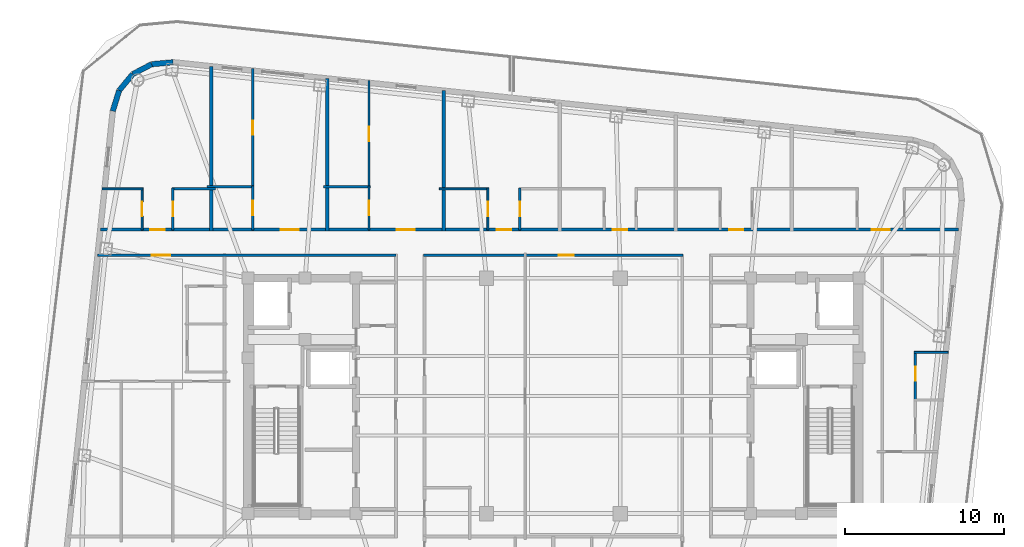
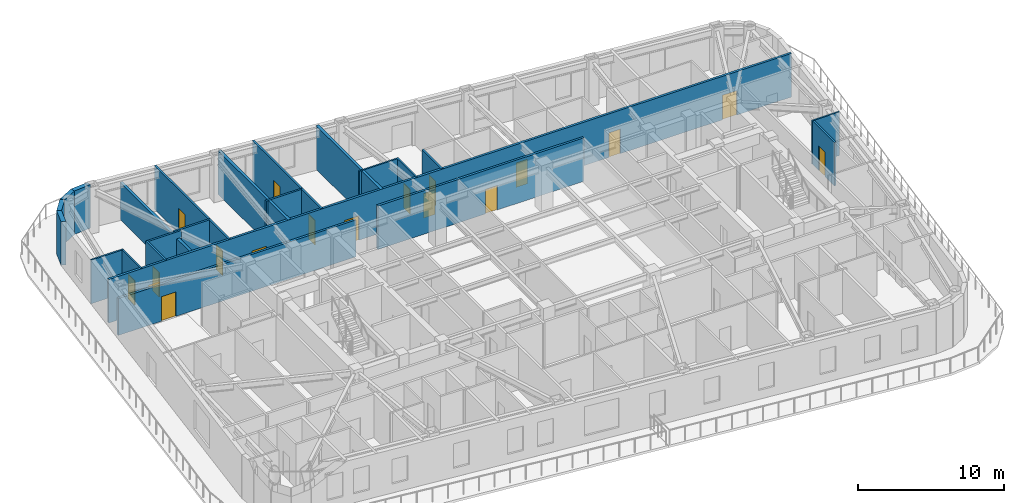
# One storey, part 7 of 14: 25 walls, 18 doors, 18 openings.
"""IFC4 building model written with IfcOpenShell, lengths in metres."""

from ifc_helpers import new_model, si_unit, direction, frame, frame_2d, origin, place, context, subcontext, project, spatial, rectangle, extrude, material, layer, layer_set, type_object, element, fill, save


model = new_model("IFC4")

# Units and contexts
model_context = context("Model", 3, precision=1e-05, world=origin(), true_north=direction((0.0, 1.0)))
body_context = subcontext(model_context, "Body", "Model", "MODEL_VIEW")
ifc_project = project(units=[si_unit("LENGTHUNIT", "METRE"), si_unit("AREAUNIT", "SQUARE_METRE"), si_unit("VOLUMEUNIT", "CUBIC_METRE"), si_unit("PLANEANGLEUNIT", "RADIAN"), si_unit("MASSUNIT", "GRAM", prefix="KILO")], contexts=[model_context])

# Site, building, storey
site_placement = place(None, origin())
site = spatial("IfcSite", under=ifc_project, at=site_placement, CompositionType="ELEMENT")
building_placement = place(site_placement, origin())
building = spatial("IfcBuilding", under=site, at=building_placement, Name="Voryun Gate Residences", CompositionType="ELEMENT")
storey_placement = place(building_placement, frame((0.0, 0.0, 291.199951171875)))
storey = spatial("IfcBuildingStorey", under=building, at=storey_placement, Name="L72", CompositionType="ELEMENT", Elevation=291.199951171875)

# Wall, opening, door
ifc_material_1 = material(Name="Gypsum acoustic fireboard")
ifc_layer_1 = layer(ifc_material_1, 0.179931640625, Name="W_CORR_RATED_180")
ifc_layer_set_1 = layer_set([ifc_layer_1], Name="Gypsum acoustic fireboard")
wall_type_1 = type_object("IfcWallType", Name="W_CORR_RATED_180", PredefinedType="PARTITIONING", material=ifc_layer_set_1)
wall_1_placement = place(storey_placement, frame((-28.648681640625, 8.840087890625, 0.0), z_axis=(0.0, 0.0, 1.0), x_axis=(1.0, 0.0, 0.0)))
wall_1 = element("IfcWall", 1, at=wall_1_placement, inside=storey, type_object=wall_type_1, Name="Partition wall WP-L72-CWING-WN", PredefinedType="PARTITIONING", context=body_context, shape_type="SweptSolid", body=[
    extrude(rectangle(XDim=18.768798828125, YDim=0.179931640625, at=frame_2d((9.38427734375, 0.0))), origin(), (0.0, 0.0, 1.0), 3.074951171875),
])
opening_1_placement = place(wall_1_placement, frame((3.40966796875, 0.0, 0.0)))
opening_1 = element("IfcOpeningElement", 2, at=opening_1_placement, cuts=wall_1, Name="Opening D-UNIT-1", PredefinedType="OPENING", context=body_context, shape_type="SweptSolid", body=[
    extrude(rectangle(XDim=1.14990234375, YDim=2.050048828125, at=frame_2d((0.574951171875, 1.02490234375))), frame((0.0, 0.099853515625, 0.0), z_axis=(0.0, -1.0, 0.0), x_axis=(1.0, 0.0, 0.0)), (0.0, 0.0, 1.0), 0.199951171875),
])
ifc_material_2 = material(Name="Armoured timber-clad fire door", Category="wood")
door_type_1 = type_object("IfcDoorType", Name="DR_UNIT_ENTRY_1150", OperationType="NOTDEFINED", PredefinedType="DOOR", material=ifc_material_2)
door_1_placement = place(opening_1_placement, origin())
door_1 = element("IfcDoor", 3, at=door_1_placement, inside=storey, type_object=door_type_1, Name="Door DR-L72-WE1N", OperationType="SINGLE_SWING_LEFT", OverallHeight=2.050048828125, OverallWidth=1.14990234375, PredefinedType="DOOR", context=body_context, shape_type="SweptSolid", body=[
    extrude(rectangle(XDim=1.14990234375, YDim=2.050048828125, at=frame_2d((0.574951171875, 1.02490234375))), frame((0.0, 0.02490234375, 0.0), z_axis=(0.0, -1.0, 0.0), x_axis=(1.0, 0.0, 0.0)), (0.0, 0.0, 1.0), 0.050048828125),
])
fill(opening_1, door_1)

wall_2_placement = place(storey_placement, frame((-8.14990234375, 8.840087890625, 0.0), z_axis=(0.0, 0.0, 1.0), x_axis=(1.0, 0.0, 0.0)))
wall_2 = element("IfcWall", 4, at=wall_2_placement, inside=storey, type_object=wall_type_1, Name="Partition wall WP-L72-Z3N", PredefinedType="PARTITIONING", context=body_context, shape_type="SweptSolid", body=[
    extrude(rectangle(XDim=16.2998046875, YDim=0.179931640625, at=frame_2d((8.14990234375, 0.0))), origin(), (0.0, 0.0, 1.0), 3.635009765625),
])
opening_2_placement = place(wall_2_placement, frame((8.489990234375, 0.0, 0.0)))
opening_2 = element("IfcOpeningElement", 5, at=opening_2_placement, cuts=wall_2, Name="Opening D-INT-1", PredefinedType="OPENING", context=body_context, shape_type="SweptSolid", body=[
    extrude(rectangle(XDim=0.949951171875, YDim=2.050048828125, at=frame_2d((0.47509765625, 1.02490234375))), frame((0.0, 0.099853515625, 0.0), z_axis=(0.0, -1.0, 0.0), x_axis=(1.0, 0.0, 0.0)), (0.0, 0.0, 1.0), 0.199951171875),
])
ifc_material_3 = material(Name="Architectural oak veneer")
door_type_2 = type_object("IfcDoorType", Name="DR_INT_ROOM_950", OperationType="NOTDEFINED", PredefinedType="DOOR", material=ifc_material_3)
door_2_placement = place(opening_2_placement, origin())
door_2 = element("IfcDoor", 6, at=door_2_placement, inside=storey, type_object=door_type_2, Name="Door DR-L72-CMIDZ3N", OperationType="SINGLE_SWING_LEFT", OverallHeight=2.050048828125, OverallWidth=0.949951171875, PredefinedType="DOOR", context=body_context, shape_type="SweptSolid", body=[
    extrude(rectangle(XDim=0.949951171875, YDim=2.050048828125, at=frame_2d((0.47509765625, 1.02490234375))), frame((0.0, 0.02490234375, 0.0), z_axis=(0.0, -1.0, 0.0), x_axis=(1.0, 0.0, 0.0)), (0.0, 0.0, 1.0), 0.050048828125),
])
fill(opening_2, door_2)

# Wall, openings, doors
wall_3_placement = place(storey_placement, frame((-28.4794921875, 10.449951171875, 0.0), z_axis=(0.0, 0.0, 1.0), x_axis=(1.0, 0.0, 0.0)))
wall_3 = element("IfcWall", 7, at=wall_3_placement, inside=storey, type_object=wall_type_1, Name="Partition wall WP-L72-NCORR", PredefinedType="PARTITIONING", context=body_context, shape_type="SweptSolid", body=[
    extrude(rectangle(XDim=53.95556640625, YDim=0.179931640625, at=frame_2d((26.977783203125, 0.0))), origin(), (0.0, 0.0, 1.0), 3.635009765625),
])
opening_3_placement = place(wall_3_placement, frame((3.143310546875, 0.0, 0.0)))
opening_3 = element("IfcOpeningElement", 8, at=opening_3_placement, cuts=wall_3, Name="Opening D-INT-2", PredefinedType="OPENING", context=body_context, shape_type="SweptSolid", body=[
    extrude(rectangle(XDim=0.89990234375, YDim=2.050048828125, at=frame_2d((0.449951171875, 1.02490234375))), frame((0.0, 0.099853515625, 0.0), z_axis=(0.0, -1.0, 0.0), x_axis=(1.0, 0.0, 0.0)), (0.0, 0.0, 1.0), 0.199951171875),
])
opening_4_placement = place(wall_3_placement, frame((11.32763671875, 0.0, 0.0)))
opening_4 = element("IfcOpeningElement", 9, at=opening_4_placement, cuts=wall_3, Name="Opening D-UNIT-1", PredefinedType="OPENING", context=body_context, shape_type="SweptSolid", body=[
    extrude(rectangle(XDim=1.14990234375, YDim=2.050048828125, at=frame_2d((0.574951171875, 1.02490234375))), frame((0.0, 0.099853515625, 0.0), z_axis=(0.0, -1.0, 0.0), x_axis=(1.0, 0.0, 0.0)), (0.0, 0.0, 1.0), 0.199951171875),
])
opening_5_placement = place(wall_3_placement, frame((18.627685546875, 0.0, 0.0)))
opening_5 = element("IfcOpeningElement", 10, at=opening_5_placement, cuts=wall_3, Name="Opening D-UNIT-1", PredefinedType="OPENING", context=body_context, shape_type="SweptSolid", body=[
    extrude(rectangle(XDim=1.14990234375, YDim=2.050048828125, at=frame_2d((0.574951171875, 1.02490234375))), frame((0.0, 0.099853515625, 0.0), z_axis=(0.0, -1.0, 0.0), x_axis=(1.0, 0.0, 0.0)), (0.0, 0.0, 1.0), 0.199951171875),
])
opening_6_placement = place(wall_3_placement, frame((24.92529296875, 0.0, 0.0)))
opening_6 = element("IfcOpeningElement", 11, at=opening_6_placement, cuts=wall_3, Name="Opening D-INT-2", PredefinedType="OPENING", context=body_context, shape_type="SweptSolid", body=[
    extrude(rectangle(XDim=0.89990234375, YDim=2.050048828125, at=frame_2d((0.449951171875, 1.02490234375))), frame((0.0, 0.099853515625, 0.0), z_axis=(0.0, -1.0, 0.0), x_axis=(1.0, 0.0, 0.0)), (0.0, 0.0, 1.0), 0.199951171875),
])
opening_7_placement = place(wall_3_placement, frame((32.2255859375, 0.0, 0.0)))
opening_7 = element("IfcOpeningElement", 12, at=opening_7_placement, cuts=wall_3, Name="Opening D-INT-2", PredefinedType="OPENING", context=body_context, shape_type="SweptSolid", body=[
    extrude(rectangle(XDim=0.89990234375, YDim=2.050048828125, at=frame_2d((0.449951171875, 1.02490234375))), frame((0.0, 0.099853515625, 0.0), z_axis=(0.0, -1.0, 0.0), x_axis=(1.0, 0.0, 0.0)), (0.0, 0.0, 1.0), 0.199951171875),
])
opening_8_placement = place(wall_3_placement, frame((39.520263671875, 0.0, 0.0)))
opening_8 = element("IfcOpeningElement", 13, at=opening_8_placement, cuts=wall_3, Name="Opening D-INT-2", PredefinedType="OPENING", context=body_context, shape_type="SweptSolid", body=[
    extrude(rectangle(XDim=0.89990234375, YDim=2.050048828125, at=frame_2d((0.449951171875, 1.02490234375))), frame((0.0, 0.099853515625, 0.0), z_axis=(0.0, -1.0, 0.0), x_axis=(1.0, 0.0, 0.0)), (0.0, 0.0, 1.0), 0.199951171875),
])
opening_9_placement = place(wall_3_placement, frame((48.48681640625, 0.0, 0.0)))
opening_9 = element("IfcOpeningElement", 14, at=opening_9_placement, cuts=wall_3, Name="Opening D-UNIT-1", PredefinedType="OPENING", context=body_context, shape_type="SweptSolid", body=[
    extrude(rectangle(XDim=1.14990234375, YDim=2.050048828125, at=frame_2d((0.574951171875, 1.02490234375))), frame((0.0, 0.099853515625, 0.0), z_axis=(0.0, -1.0, 0.0), x_axis=(1.0, 0.0, 0.0)), (0.0, 0.0, 1.0), 0.199951171875),
])
ifc_material_4 = material(Name="Architectural oak veneer")
door_type_3 = type_object("IfcDoorType", Name="DR_INT_BATH_900", OperationType="NOTDEFINED", PredefinedType="DOOR", material=ifc_material_4)
door_3_placement = place(opening_3_placement, origin())
door_3 = element("IfcDoor", 15, at=door_3_placement, inside=storey, type_object=door_type_3, Name="Door DR-L72-NENT-1", OperationType="SINGLE_SWING_LEFT", OverallHeight=2.050048828125, OverallWidth=0.89990234375, PredefinedType="DOOR", context=body_context, shape_type="SweptSolid", body=[
    extrude(rectangle(XDim=0.89990234375, YDim=2.050048828125, at=frame_2d((0.449951171875, 1.02490234375))), frame((0.0, 0.02490234375, 0.0), z_axis=(0.0, -1.0, 0.0), x_axis=(1.0, 0.0, 0.0)), (0.0, 0.0, 1.0), 0.050048828125),
])
fill(opening_3, door_3)
door_4_placement = place(opening_6_placement, origin())
door_4 = element("IfcDoor", 16, at=door_4_placement, inside=storey, type_object=door_type_3, Name="Door DR-L72-NENT-4", OperationType="SINGLE_SWING_RIGHT", OverallHeight=2.050048828125, OverallWidth=0.89990234375, PredefinedType="DOOR", context=body_context, shape_type="SweptSolid", body=[
    extrude(rectangle(XDim=0.89990234375, YDim=2.050048828125, at=frame_2d((0.449951171875, 1.02490234375))), frame((0.0, 0.02490234375, 0.0), z_axis=(0.0, -1.0, 0.0), x_axis=(1.0, 0.0, 0.0)), (0.0, 0.0, 1.0), 0.050048828125),
])
fill(opening_6, door_4)
door_5_placement = place(opening_7_placement, origin())
door_5 = element("IfcDoor", 17, at=door_5_placement, inside=storey, type_object=door_type_3, Name="Door DR-L72-NENT-5", OperationType="SINGLE_SWING_LEFT", OverallHeight=2.050048828125, OverallWidth=0.89990234375, PredefinedType="DOOR", context=body_context, shape_type="SweptSolid", body=[
    extrude(rectangle(XDim=0.89990234375, YDim=2.050048828125, at=frame_2d((0.449951171875, 1.02490234375))), frame((0.0, 0.02490234375, 0.0), z_axis=(0.0, -1.0, 0.0), x_axis=(1.0, 0.0, 0.0)), (0.0, 0.0, 1.0), 0.050048828125),
])
fill(opening_7, door_5)
door_6_placement = place(opening_8_placement, origin())
door_6 = element("IfcDoor", 18, at=door_6_placement, inside=storey, type_object=door_type_3, Name="Door DR-L72-NENT-6", OperationType="SINGLE_SWING_RIGHT", OverallHeight=2.050048828125, OverallWidth=0.89990234375, PredefinedType="DOOR", context=body_context, shape_type="SweptSolid", body=[
    extrude(rectangle(XDim=0.89990234375, YDim=2.050048828125, at=frame_2d((0.449951171875, 1.02490234375))), frame((0.0, 0.02490234375, 0.0), z_axis=(0.0, -1.0, 0.0), x_axis=(1.0, 0.0, 0.0)), (0.0, 0.0, 1.0), 0.050048828125),
])
fill(opening_8, door_6)
door_7_placement = place(opening_4_placement, origin())
door_7 = element("IfcDoor", 19, at=door_7_placement, inside=storey, type_object=door_type_1, Name="Door DR-L72-NENT-2", OperationType="SINGLE_SWING_RIGHT", OverallHeight=2.050048828125, OverallWidth=1.14990234375, PredefinedType="DOOR", context=body_context, shape_type="SweptSolid", body=[
    extrude(rectangle(XDim=1.14990234375, YDim=2.050048828125, at=frame_2d((0.574951171875, 1.02490234375))), frame((0.0, 0.02490234375, 0.0), z_axis=(0.0, -1.0, 0.0), x_axis=(1.0, 0.0, 0.0)), (0.0, 0.0, 1.0), 0.050048828125),
])
fill(opening_4, door_7)
door_8_placement = place(opening_5_placement, origin())
door_8 = element("IfcDoor", 20, at=door_8_placement, inside=storey, type_object=door_type_1, Name="Door DR-L72-NENT-3", OperationType="SINGLE_SWING_LEFT", OverallHeight=2.050048828125, OverallWidth=1.14990234375, PredefinedType="DOOR", context=body_context, shape_type="SweptSolid", body=[
    extrude(rectangle(XDim=1.14990234375, YDim=2.050048828125, at=frame_2d((0.574951171875, 1.02490234375))), frame((0.0, 0.02490234375, 0.0), z_axis=(0.0, -1.0, 0.0), x_axis=(1.0, 0.0, 0.0)), (0.0, 0.0, 1.0), 0.050048828125),
])
fill(opening_5, door_8)
door_9_placement = place(opening_9_placement, origin())
door_9 = element("IfcDoor", 21, at=door_9_placement, inside=storey, type_object=door_type_1, Name="Door DR-L72-NENT-7", OperationType="SINGLE_SWING_LEFT", OverallHeight=2.050048828125, OverallWidth=1.14990234375, PredefinedType="DOOR", context=body_context, shape_type="SweptSolid", body=[
    extrude(rectangle(XDim=1.14990234375, YDim=2.050048828125, at=frame_2d((0.574951171875, 1.02490234375))), frame((0.0, 0.02490234375, 0.0), z_axis=(0.0, -1.0, 0.0), x_axis=(1.0, 0.0, 0.0)), (0.0, 0.0, 1.0), 0.050048828125),
])
fill(opening_9, door_9)

# Walls
ifc_material_5 = material(Name="Charcoal terracotta masonry", Category="masonry")
ifc_layer_2 = layer(ifc_material_5, 0.340087890625, Name="W_EXT_TERRACOTTA_340")
ifc_layer_set_2 = layer_set([ifc_layer_2], Name="Charcoal terracotta masonry")
wall_type_2 = type_object("IfcWallType", Name="W_EXT_TERRACOTTA_340", PredefinedType="ELEMENTEDWALL", material=ifc_layer_set_2)
wall_4_placement = place(storey_placement, frame((-27.69580078125, 17.904541015625, 0.0), z_axis=(0.0, 0.0, 1.0), x_axis=(0.296416228123, 0.955058856671, 0.0)))
element("IfcWall", 22, at=wall_4_placement, inside=storey, type_object=wall_type_2, Name="Exterior wall WEXT-L72-07", PredefinedType="ELEMENTEDWALL", context=body_context, shape_type="SweptSolid", body=[
    extrude(rectangle(XDim=1.35400390625, YDim=0.340087890625, at=frame_2d((0.677001953125, 0.0))), origin(), (0.0, 0.0, 1.0), 3.635009765625),
])
wall_5_placement = place(storey_placement, frame((-27.29443359375, 19.19775390625, 0.0), z_axis=(0.0, 0.0, 1.0), x_axis=(0.639501603217, 0.768789762863, 0.0)))
element("IfcWall", 23, at=wall_5_placement, inside=storey, type_object=wall_type_2, Name="Exterior wall WEXT-L72-08", PredefinedType="ELEMENTEDWALL", context=body_context, shape_type="SweptSolid", body=[
    extrude(rectangle(XDim=1.3369140625, YDim=0.340087890625, at=frame_2d((0.66845703125, 0.0))), origin(), (0.0, 0.0, 1.0), 3.635009765625),
])
wall_6_placement = place(storey_placement, frame((-26.439453125, 20.2255859375, 0.0), z_axis=(0.0, 0.0, 1.0), x_axis=(0.884922182678, 0.465738908193, 0.0)))
element("IfcWall", 24, at=wall_6_placement, inside=storey, type_object=wall_type_2, Name="Exterior wall WEXT-L72-09", PredefinedType="ELEMENTEDWALL", context=body_context, shape_type="SweptSolid", body=[
    extrude(rectangle(XDim=1.337158203125, YDim=0.340087890625, at=frame_2d((0.66845703125, 0.0))), origin(), (0.0, 0.0, 1.0), 3.635009765625),
])
wall_7_placement = place(storey_placement, frame((-25.256103515625, 20.848388671875, 0.0), z_axis=(0.0, 0.0, 1.0), x_axis=(0.995813013343, 0.091413579172, 0.0)))
element("IfcWall", 25, at=wall_7_placement, inside=storey, type_object=wall_type_2, Name="Exterior wall WEXT-L72-10", PredefinedType="ELEMENTEDWALL", context=body_context, shape_type="SweptSolid", body=[
    extrude(rectangle(XDim=1.35400390625, YDim=0.340087890625, at=frame_2d((0.677001953125, 0.0))), origin(), (0.0, 0.0, 1.0), 3.635009765625),
])
ifc_material_6 = material(Name="Concrete C40/50", Category="concrete")
ifc_layer_3 = layer(ifc_material_6, 0.219970703125, Name="W_PARTY_ACOUSTIC_220")
ifc_layer_set_3 = layer_set([ifc_layer_3], Name="Concrete C40/50")
wall_type_3 = type_object("IfcWallType", Name="W_PARTY_ACOUSTIC_220", PredefinedType="PARTITIONING", material=ifc_layer_set_3)
wall_8_placement = place(storey_placement, frame((-21.5, 10.3701171875, 0.0), z_axis=(0.0, 0.0, 1.0), x_axis=(0.0, 1.0, 0.0)))
element("IfcWall", 26, at=wall_8_placement, inside=storey, type_object=wall_type_3, Name="Partition wall WP-L72-NPTY-1", PredefinedType="PARTITIONING", context=body_context, shape_type="SweptSolid", body=[
    extrude(rectangle(XDim=10.348876953125, YDim=0.219970703125, at=frame_2d((5.17431640625, 0.0))), origin(), (0.0, 0.0, 1.0), 3.074951171875),
])
wall_9_placement = place(storey_placement, frame((-14.199951171875, 10.3701171875, 0.0), z_axis=(0.0, 0.0, 1.0), x_axis=(0.0, 1.0, 0.0)))
element("IfcWall", 27, at=wall_9_placement, inside=storey, type_object=wall_type_3, Name="Partition wall WP-L72-NPTY-2", PredefinedType="PARTITIONING", context=body_context, shape_type="SweptSolid", body=[
    extrude(rectangle(XDim=9.581787109375, YDim=0.219970703125, at=frame_2d((4.791015625, 0.0))), origin(), (0.0, 0.0, 1.0), 3.635009765625),
])
wall_10_placement = place(storey_placement, frame((-6.89990234375, 10.3701171875, 0.0), z_axis=(0.0, 0.0, 1.0), x_axis=(0.0, 1.0, 0.0)))
element("IfcWall", 28, at=wall_10_placement, inside=storey, type_object=wall_type_3, Name="Partition wall WP-L72-NPTY-3", PredefinedType="PARTITIONING", context=body_context, shape_type="SweptSolid", body=[
    extrude(rectangle(XDim=8.814453125, YDim=0.219970703125, at=frame_2d((4.4072265625, 0.0))), origin(), (0.0, 0.0, 1.0), 3.635009765625),
])

# Wall, opening, door
ifc_material_7 = material(Name="Gypsum acoustic partition")
ifc_layer_4 = layer(ifc_material_7, 0.125, Name="W_UNIT_PART_125")
ifc_layer_set_4 = layer_set([ifc_layer_4], Name="Gypsum acoustic partition")
wall_type_4 = type_object("IfcWallType", Name="W_UNIT_PART_125", PredefinedType="PARTITIONING", material=ifc_layer_set_4)
wall_11_placement = place(storey_placement, frame((-25.85302734375, 10.429931640625, 0.0), z_axis=(0.0, 0.0, 1.0), x_axis=(0.0, 1.0, 0.0)))
wall_11 = element("IfcWall", 29, at=wall_11_placement, inside=storey, type_object=wall_type_4, Name="Partition wall WP-L72-N1-CVK", PredefinedType="PARTITIONING", context=body_context, shape_type="SweptSolid", body=[
    extrude(rectangle(XDim=2.650146484375, YDim=0.125, at=frame_2d((1.3251953125, 0.0))), origin(), (0.0, 0.0, 1.0), 3.635009765625),
])
opening_10_placement = place(wall_11_placement, frame((0.875, 0.0, 0.0)))
opening_10 = element("IfcOpeningElement", 30, at=opening_10_placement, cuts=wall_11, Name="Opening D-INT-2", PredefinedType="OPENING", context=body_context, shape_type="SweptSolid", body=[
    extrude(rectangle(XDim=0.89990234375, YDim=2.050048828125, at=frame_2d((0.449951171875, 1.02490234375))), frame((0.0, 0.072509765625, 0.0), z_axis=(0.0, -1.0, 0.0), x_axis=(1.0, 0.0, 0.0)), (0.0, 0.0, 1.0), 0.14501953125),
])
door_10_placement = place(opening_10_placement, origin())
door_10 = element("IfcDoor", 31, at=door_10_placement, inside=storey, type_object=door_type_3, Name="Door DR-L72-N1-DK", OperationType="SINGLE_SWING_LEFT", OverallHeight=2.050048828125, OverallWidth=0.89990234375, PredefinedType="DOOR", context=body_context, shape_type="SweptSolid", body=[
    extrude(rectangle(XDim=0.89990234375, YDim=2.050048828125, at=frame_2d((0.449951171875, 1.02490234375))), frame((0.0, 0.02490234375, 0.0), z_axis=(0.0, -1.0, 0.0), x_axis=(1.0, 0.0, 0.0)), (0.0, 0.0, 1.0), 0.050048828125),
])
fill(opening_10, door_10)

# Wall
wall_12_placement = place(storey_placement, frame((-28.360107421875, 13.02001953125, 0.0), z_axis=(0.0, 0.0, 1.0), x_axis=(1.0, 0.0, 0.0)))
element("IfcWall", 32, at=wall_12_placement, inside=storey, type_object=wall_type_4, Name="Partition wall WP-L72-N1-CHK", PredefinedType="PARTITIONING", context=body_context, shape_type="SweptSolid", body=[
    extrude(rectangle(XDim=2.567138671875, YDim=0.125, at=frame_2d((1.28369140625, 0.0))), origin(), (0.0, 0.0, 1.0), 3.635009765625),
])

# Wall, opening, door
wall_13_placement = place(storey_placement, frame((-4.112060546875, 10.429931640625, 0.0), z_axis=(0.0, 0.0, 1.0), x_axis=(0.0, 1.0, 0.0)))
wall_13 = element("IfcWall", 33, at=wall_13_placement, inside=storey, type_object=wall_type_4, Name="Partition wall WP-L72-N4-CVK", PredefinedType="PARTITIONING", context=body_context, shape_type="SweptSolid", body=[
    extrude(rectangle(XDim=2.650146484375, YDim=0.125, at=frame_2d((1.3251953125, 0.0))), origin(), (0.0, 0.0, 1.0), 3.635009765625),
])
opening_11_placement = place(wall_13_placement, frame((0.875, 0.0, 0.0)))
opening_11 = element("IfcOpeningElement", 34, at=opening_11_placement, cuts=wall_13, Name="Opening D-INT-2", PredefinedType="OPENING", context=body_context, shape_type="SweptSolid", body=[
    extrude(rectangle(XDim=0.89990234375, YDim=2.050048828125, at=frame_2d((0.449951171875, 1.02490234375))), frame((0.0, 0.072509765625, 0.0), z_axis=(0.0, -1.0, 0.0), x_axis=(1.0, 0.0, 0.0)), (0.0, 0.0, 1.0), 0.14501953125),
])
door_11_placement = place(opening_11_placement, origin())
door_11 = element("IfcDoor", 35, at=door_11_placement, inside=storey, type_object=door_type_3, Name="Door DR-L72-N4-DK", OperationType="SINGLE_SWING_LEFT", OverallHeight=2.050048828125, OverallWidth=0.89990234375, PredefinedType="DOOR", context=body_context, shape_type="SweptSolid", body=[
    extrude(rectangle(XDim=0.89990234375, YDim=2.050048828125, at=frame_2d((0.449951171875, 1.02490234375))), frame((0.0, 0.02490234375, 0.0), z_axis=(0.0, -1.0, 0.0), x_axis=(1.0, 0.0, 0.0)), (0.0, 0.0, 1.0), 0.050048828125),
])
fill(opening_11, door_11)

# Walls
wall_14_placement = place(storey_placement, frame((-7.159912109375, 13.02001953125, 0.0), z_axis=(0.0, 0.0, 1.0), x_axis=(1.0, 0.0, 0.0)))
element("IfcWall", 36, at=wall_14_placement, inside=storey, type_object=wall_type_4, Name="Partition wall WP-L72-N4-CHK", PredefinedType="PARTITIONING", context=body_context, shape_type="SweptSolid", body=[
    extrude(rectangle(XDim=3.10791015625, YDim=0.125, at=frame_2d((1.553955078125, 0.0))), origin(), (0.0, 0.0, 1.0), 3.635009765625),
])
wall_15_placement = place(storey_placement, frame((22.679931640625, 2.739990234375, 0.0), z_axis=(0.0, 0.0, 1.0), x_axis=(1.0, 0.0, 0.0)))
element("IfcWall", 37, at=wall_15_placement, inside=storey, type_object=wall_type_4, Name="Partition wall WP-L72-E1-HZ1", PredefinedType="PARTITIONING", context=body_context, shape_type="SweptSolid", body=[
    extrude(rectangle(XDim=2.13671875, YDim=0.125, at=frame_2d((1.068359375, 0.0))), origin(), (0.0, 0.0, 1.0), 3.635009765625),
])

# Wall, opening, door
ifc_material_8 = material(Name="Gypsum moisture-resistant partition")
ifc_layer_5 = layer(ifc_material_8, 0.14990234375, Name="W_WET_PLUMB_150")
ifc_layer_set_5 = layer_set([ifc_layer_5], Name="Gypsum moisture-resistant partition")
wall_type_5 = type_object("IfcWallType", Name="W_WET_PLUMB_150", PredefinedType="PLUMBINGWALL", material=ifc_layer_set_5)
wall_16_placement = place(storey_placement, frame((-23.9140625, 10.429931640625, 0.0), z_axis=(0.0, 0.0, 1.0), x_axis=(0.0, 1.0, 0.0)))
wall_16 = element("IfcWall", 38, at=wall_16_placement, inside=storey, type_object=wall_type_5, Name="Partition wall WP-L72-N1-CVB", PredefinedType="PLUMBINGWALL", context=body_context, shape_type="SweptSolid", body=[
    extrude(rectangle(XDim=2.650146484375, YDim=0.14990234375, at=frame_2d((1.3251953125, 0.0))), origin(), (0.0, 0.0, 1.0), 3.635009765625),
])
opening_12_placement = place(wall_16_placement, frame((0.875, 0.0, 0.0)))
opening_12 = element("IfcOpeningElement", 39, at=opening_12_placement, cuts=wall_16, Name="Opening D-INT-2", PredefinedType="OPENING", context=body_context, shape_type="SweptSolid", body=[
    extrude(rectangle(XDim=0.89990234375, YDim=2.050048828125, at=frame_2d((0.449951171875, 1.02490234375))), frame((0.0, 0.0849609375, 0.0), z_axis=(0.0, -1.0, 0.0), x_axis=(1.0, 0.0, 0.0)), (0.0, 0.0, 1.0), 0.169921875),
])
door_12_placement = place(opening_12_placement, origin())
door_12 = element("IfcDoor", 40, at=door_12_placement, inside=storey, type_object=door_type_3, Name="Door DR-L72-N1-DB", OperationType="SINGLE_SWING_RIGHT", OverallHeight=2.050048828125, OverallWidth=0.89990234375, PredefinedType="DOOR", context=body_context, shape_type="SweptSolid", body=[
    extrude(rectangle(XDim=0.89990234375, YDim=2.050048828125, at=frame_2d((0.449951171875, 1.02490234375))), frame((0.0, 0.02490234375, 0.0), z_axis=(0.0, -1.0, 0.0), x_axis=(1.0, 0.0, 0.0)), (0.0, 0.0, 1.0), 0.050048828125),
])
fill(opening_12, door_12)

# Walls
wall_17_placement = place(storey_placement, frame((-23.97412109375, 13.02001953125, 0.0), z_axis=(0.0, 0.0, 1.0), x_axis=(1.0, 0.0, 0.0)))
element("IfcWall", 41, at=wall_17_placement, inside=storey, type_object=wall_type_5, Name="Partition wall WP-L72-N1-CHB", PredefinedType="PLUMBINGWALL", context=body_context, shape_type="SweptSolid", body=[
    extrude(rectangle(XDim=2.734130859375, YDim=0.14990234375, at=frame_2d((1.3671875, 0.0))), origin(), (0.0, 0.0, 1.0), 3.635009765625),
])
wall_18_placement = place(storey_placement, frame((-21.760009765625, 13.14990234375, 0.0), z_axis=(0.0, 0.0, 1.0), x_axis=(1.0, 0.0, 0.0)))
element("IfcWall", 42, at=wall_18_placement, inside=storey, type_object=wall_type_5, Name="Partition wall WP-L72-N2-SKB", PredefinedType="PLUMBINGWALL", context=body_context, shape_type="SweptSolid", body=[
    extrude(rectangle(XDim=2.949951171875, YDim=0.14990234375, at=frame_2d((1.47509765625, 0.0))), origin(), (0.0, 0.0, 1.0), 3.635009765625),
])

# Wall, opening, door
wall_19_placement = place(storey_placement, frame((-18.889892578125, 10.429931640625, 0.0), z_axis=(0.0, 0.0, 1.0), x_axis=(0.0, 1.0, 0.0)))
wall_19 = element("IfcWall", 43, at=wall_19_placement, inside=storey, type_object=wall_type_5, Name="Partition wall WP-L72-N2-SVT1", PredefinedType="PLUMBINGWALL", context=body_context, shape_type="SweptSolid", body=[
    extrude(rectangle(XDim=2.760009765625, YDim=0.14990234375, at=frame_2d((1.3798828125, 0.0))), origin(), (0.0, 0.0, 1.0), 3.635009765625),
])
opening_13_placement = place(wall_19_placement, frame((0.929931640625, 0.0, 0.0)))
opening_13 = element("IfcOpeningElement", 44, at=opening_13_placement, cuts=wall_19, Name="Opening D-INT-2", PredefinedType="OPENING", context=body_context, shape_type="SweptSolid", body=[
    extrude(rectangle(XDim=0.89990234375, YDim=2.050048828125, at=frame_2d((0.449951171875, 1.02490234375))), frame((0.0, 0.0849609375, 0.0), z_axis=(0.0, -1.0, 0.0), x_axis=(1.0, 0.0, 0.0)), (0.0, 0.0, 1.0), 0.169921875),
])
door_13_placement = place(opening_13_placement, origin())
door_13 = element("IfcDoor", 45, at=door_13_placement, inside=storey, type_object=door_type_3, Name="Door DR-L72-N2-DB", OperationType="SINGLE_SWING_LEFT", OverallHeight=2.050048828125, OverallWidth=0.89990234375, PredefinedType="DOOR", context=body_context, shape_type="SweptSolid", body=[
    extrude(rectangle(XDim=0.89990234375, YDim=2.050048828125, at=frame_2d((0.449951171875, 1.02490234375))), frame((0.0, 0.02490234375, 0.0), z_axis=(0.0, -1.0, 0.0), x_axis=(1.0, 0.0, 0.0)), (0.0, 0.0, 1.0), 0.050048828125),
])
fill(opening_13, door_13)

wall_20_placement = place(storey_placement, frame((-18.889892578125, 13.110107421875, 0.0), z_axis=(0.0, 0.0, 1.0), x_axis=(0.0, 1.0, 0.0)))
wall_20 = element("IfcWall", 46, at=wall_20_placement, inside=storey, type_object=wall_type_5, Name="Partition wall WP-L72-N2-SVT2", PredefinedType="PLUMBINGWALL", context=body_context, shape_type="SweptSolid", body=[
    extrude(rectangle(XDim=7.485595703125, YDim=0.14990234375, at=frame_2d((3.74267578125, 0.0))), origin(), (0.0, 0.0, 1.0), 3.635009765625),
])
opening_14_placement = place(wall_20_placement, frame((3.292724609375, 0.0, 0.0)))
opening_14 = element("IfcOpeningElement", 47, at=opening_14_placement, cuts=wall_20, Name="Opening D-INT-2", PredefinedType="OPENING", context=body_context, shape_type="SweptSolid", body=[
    extrude(rectangle(XDim=0.89990234375, YDim=2.050048828125, at=frame_2d((0.449951171875, 1.02490234375))), frame((0.0, 0.0849609375, 0.0), z_axis=(0.0, -1.0, 0.0), x_axis=(1.0, 0.0, 0.0)), (0.0, 0.0, 1.0), 0.169921875),
])
door_14_placement = place(opening_14_placement, origin())
door_14 = element("IfcDoor", 48, at=door_14_placement, inside=storey, type_object=door_type_3, Name="Door DR-L72-N2-DK", OperationType="SINGLE_SWING_RIGHT", OverallHeight=2.050048828125, OverallWidth=0.89990234375, PredefinedType="DOOR", context=body_context, shape_type="SweptSolid", body=[
    extrude(rectangle(XDim=0.89990234375, YDim=2.050048828125, at=frame_2d((0.449951171875, 1.02490234375))), frame((0.0, 0.02490234375, 0.0), z_axis=(0.0, -1.0, 0.0), x_axis=(1.0, 0.0, 0.0)), (0.0, 0.0, 1.0), 0.050048828125),
])
fill(opening_14, door_14)

# Wall
wall_21_placement = place(storey_placement, frame((-14.4599609375, 13.14990234375, 0.0), z_axis=(0.0, 0.0, 1.0), x_axis=(1.0, 0.0, 0.0)))
element("IfcWall", 49, at=wall_21_placement, inside=storey, type_object=wall_type_5, Name="Partition wall WP-L72-N3-SKB", PredefinedType="PLUMBINGWALL", context=body_context, shape_type="SweptSolid", body=[
    extrude(rectangle(XDim=2.949951171875, YDim=0.14990234375, at=frame_2d((1.47509765625, 0.0))), origin(), (0.0, 0.0, 1.0), 3.635009765625),
])

# Wall, opening, door
wall_22_placement = place(storey_placement, frame((-11.590087890625, 10.429931640625, 0.0), z_axis=(0.0, 0.0, 1.0), x_axis=(0.0, 1.0, 0.0)))
wall_22 = element("IfcWall", 50, at=wall_22_placement, inside=storey, type_object=wall_type_5, Name="Partition wall WP-L72-N3-SVT1", PredefinedType="PLUMBINGWALL", context=body_context, shape_type="SweptSolid", body=[
    extrude(rectangle(XDim=2.760009765625, YDim=0.14990234375, at=frame_2d((1.3798828125, 0.0))), origin(), (0.0, 0.0, 1.0), 3.635009765625),
])
opening_15_placement = place(wall_22_placement, frame((0.929931640625, 0.0, 0.0)))
opening_15 = element("IfcOpeningElement", 51, at=opening_15_placement, cuts=wall_22, Name="Opening D-INT-2", PredefinedType="OPENING", context=body_context, shape_type="SweptSolid", body=[
    extrude(rectangle(XDim=0.89990234375, YDim=2.050048828125, at=frame_2d((0.449951171875, 1.02490234375))), frame((0.0, 0.0849609375, 0.0), z_axis=(0.0, -1.0, 0.0), x_axis=(1.0, 0.0, 0.0)), (0.0, 0.0, 1.0), 0.169921875),
])
door_15_placement = place(opening_15_placement, origin())
door_15 = element("IfcDoor", 52, at=door_15_placement, inside=storey, type_object=door_type_3, Name="Door DR-L72-N3-DB", OperationType="SINGLE_SWING_LEFT", OverallHeight=2.050048828125, OverallWidth=0.89990234375, PredefinedType="DOOR", context=body_context, shape_type="SweptSolid", body=[
    extrude(rectangle(XDim=0.89990234375, YDim=2.050048828125, at=frame_2d((0.449951171875, 1.02490234375))), frame((0.0, 0.02490234375, 0.0), z_axis=(0.0, -1.0, 0.0), x_axis=(1.0, 0.0, 0.0)), (0.0, 0.0, 1.0), 0.050048828125),
])
fill(opening_15, door_15)

wall_23_placement = place(storey_placement, frame((-11.590087890625, 13.110107421875, 0.0), z_axis=(0.0, 0.0, 1.0), x_axis=(0.0, 1.0, 0.0)))
wall_23 = element("IfcWall", 53, at=wall_23_placement, inside=storey, type_object=wall_type_5, Name="Partition wall WP-L72-N3-SVT2", PredefinedType="PLUMBINGWALL", context=body_context, shape_type="SweptSolid", body=[
    extrude(rectangle(XDim=6.71826171875, YDim=0.14990234375, at=frame_2d((3.359130859375, 0.0))), origin(), (0.0, 0.0, 1.0), 3.635009765625),
])
opening_16_placement = place(wall_23_placement, frame((2.9091796875, 0.0, 0.0)))
opening_16 = element("IfcOpeningElement", 54, at=opening_16_placement, cuts=wall_23, Name="Opening D-INT-2", PredefinedType="OPENING", context=body_context, shape_type="SweptSolid", body=[
    extrude(rectangle(XDim=0.89990234375, YDim=2.050048828125, at=frame_2d((0.449951171875, 1.02490234375))), frame((0.0, 0.0849609375, 0.0), z_axis=(0.0, -1.0, 0.0), x_axis=(1.0, 0.0, 0.0)), (0.0, 0.0, 1.0), 0.169921875),
])
door_16_placement = place(opening_16_placement, origin())
door_16 = element("IfcDoor", 55, at=door_16_placement, inside=storey, type_object=door_type_3, Name="Door DR-L72-N3-DK", OperationType="SINGLE_SWING_RIGHT", OverallHeight=2.050048828125, OverallWidth=0.89990234375, PredefinedType="DOOR", context=body_context, shape_type="SweptSolid", body=[
    extrude(rectangle(XDim=0.89990234375, YDim=2.050048828125, at=frame_2d((0.449951171875, 1.02490234375))), frame((0.0, 0.02490234375, 0.0), z_axis=(0.0, -1.0, 0.0), x_axis=(1.0, 0.0, 0.0)), (0.0, 0.0, 1.0), 0.050048828125),
])
fill(opening_16, door_16)

wall_24_placement = place(storey_placement, frame((-2.10107421875, 10.429931640625, 0.0), z_axis=(0.0, 0.0, 1.0), x_axis=(0.0, 1.0, 0.0)))
wall_24 = element("IfcWall", 56, at=wall_24_placement, inside=storey, type_object=wall_type_5, Name="Partition wall WP-L72-N4-CVB", PredefinedType="PLUMBINGWALL", context=body_context, shape_type="SweptSolid", body=[
    extrude(rectangle(XDim=2.650146484375, YDim=0.14990234375, at=frame_2d((1.3251953125, 0.0))), origin(), (0.0, 0.0, 1.0), 3.635009765625),
])
opening_17_placement = place(wall_24_placement, frame((0.875, 0.0, 0.0)))
opening_17 = element("IfcOpeningElement", 57, at=opening_17_placement, cuts=wall_24, Name="Opening D-INT-2", PredefinedType="OPENING", context=body_context, shape_type="SweptSolid", body=[
    extrude(rectangle(XDim=0.89990234375, YDim=2.050048828125, at=frame_2d((0.449951171875, 1.02490234375))), frame((0.0, 0.0849609375, 0.0), z_axis=(0.0, -1.0, 0.0), x_axis=(1.0, 0.0, 0.0)), (0.0, 0.0, 1.0), 0.169921875),
])
door_17_placement = place(opening_17_placement, origin())
door_17 = element("IfcDoor", 58, at=door_17_placement, inside=storey, type_object=door_type_3, Name="Door DR-L72-N4-DB", OperationType="SINGLE_SWING_RIGHT", OverallHeight=2.050048828125, OverallWidth=0.89990234375, PredefinedType="DOOR", context=body_context, shape_type="SweptSolid", body=[
    extrude(rectangle(XDim=0.89990234375, YDim=2.050048828125, at=frame_2d((0.449951171875, 1.02490234375))), frame((0.0, 0.02490234375, 0.0), z_axis=(0.0, -1.0, 0.0), x_axis=(1.0, 0.0, 0.0)), (0.0, 0.0, 1.0), 0.050048828125),
])
fill(opening_17, door_17)

wall_25_placement = place(storey_placement, frame((22.760009765625, -0.300048828125, 0.0), z_axis=(0.0, 0.0, 1.0), x_axis=(0.0, 1.0, 0.0)))
wall_25 = element("IfcWall", 59, at=wall_25_placement, inside=storey, type_object=wall_type_5, Name="Partition wall WP-L72-E1-VKB2", PredefinedType="PLUMBINGWALL", context=body_context, shape_type="SweptSolid", body=[
    extrude(rectangle(XDim=3.080078125, YDim=0.14990234375, at=frame_2d((1.5400390625, 0.0))), origin(), (0.0, 0.0, 1.0), 3.635009765625),
])
opening_18_placement = place(wall_25_placement, frame((1.243896484375, 0.0, 0.0)))
opening_18 = element("IfcOpeningElement", 60, at=opening_18_placement, cuts=wall_25, Name="Opening D-INT-2", PredefinedType="OPENING", context=body_context, shape_type="SweptSolid", body=[
    extrude(rectangle(XDim=0.89990234375, YDim=2.050048828125, at=frame_2d((0.449951171875, 1.02490234375))), frame((0.0, 0.0849609375, 0.0), z_axis=(0.0, -1.0, 0.0), x_axis=(1.0, 0.0, 0.0)), (0.0, 0.0, 1.0), 0.169921875),
])
door_18_placement = place(opening_18_placement, origin())
door_18 = element("IfcDoor", 61, at=door_18_placement, inside=storey, type_object=door_type_3, Name="Door DR-L72-E1-DK", OperationType="SINGLE_SWING_RIGHT", OverallHeight=2.050048828125, OverallWidth=0.89990234375, PredefinedType="DOOR", context=body_context, shape_type="SweptSolid", body=[
    extrude(rectangle(XDim=0.89990234375, YDim=2.050048828125, at=frame_2d((0.449951171875, 1.02490234375))), frame((0.0, 0.02490234375, 0.0), z_axis=(0.0, -1.0, 0.0), x_axis=(1.0, 0.0, 0.0)), (0.0, 0.0, 1.0), 0.050048828125),
])
fill(opening_18, door_18)

save(model, "model.ifc")
